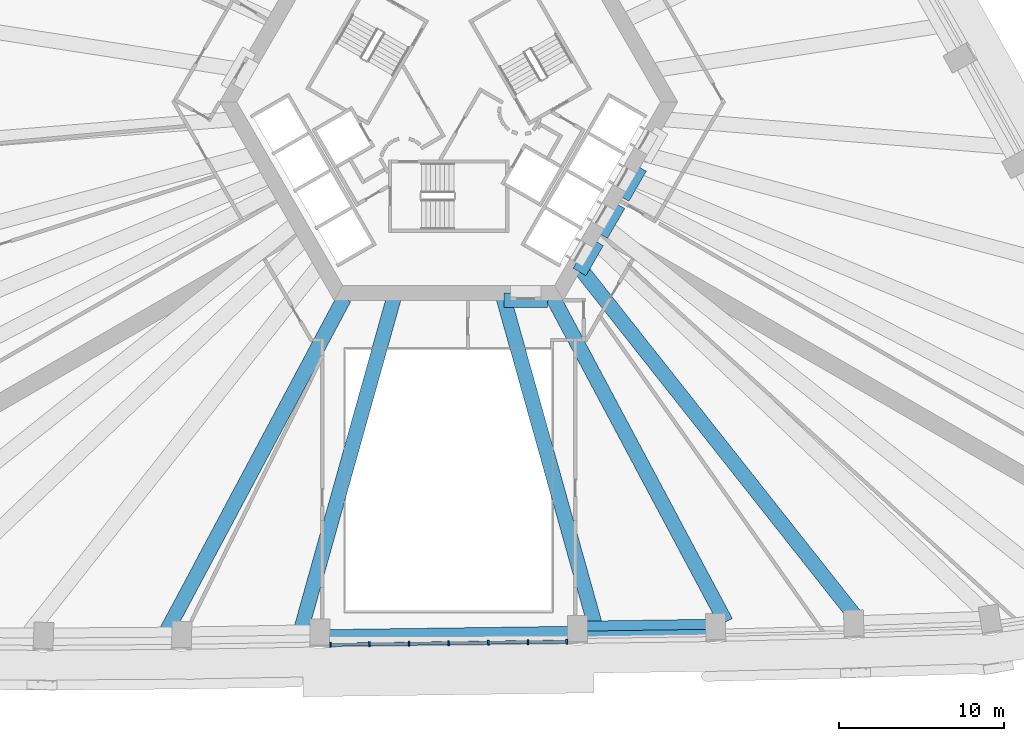
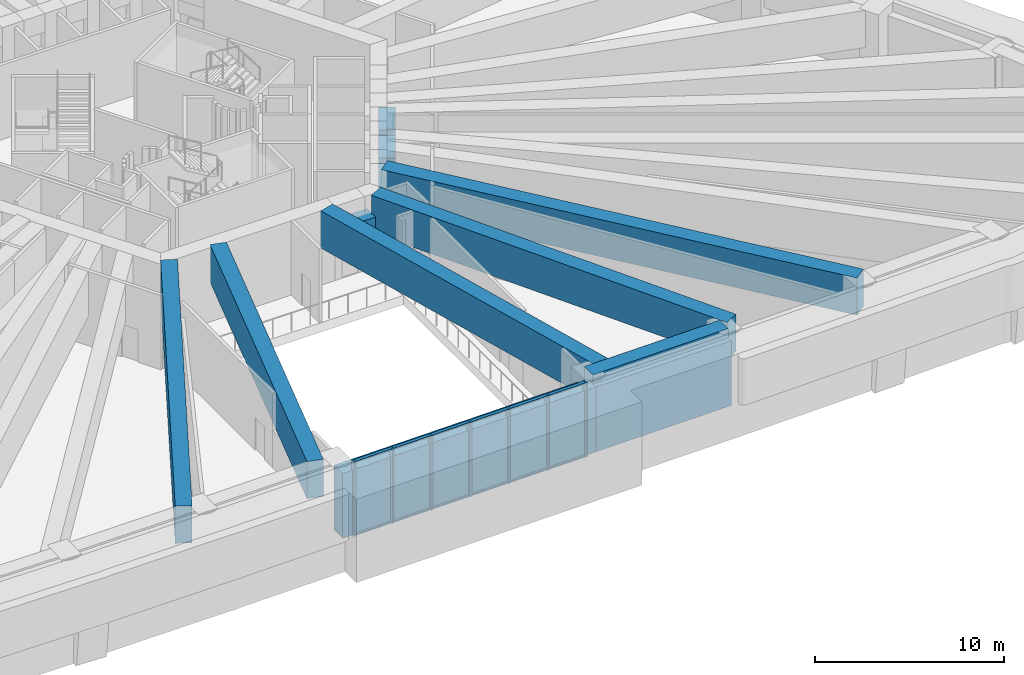
# One storey, part 2 of 21: 21 members, 10 beams, 1 element without a shape of its own.
"""IFC4 building model written with IfcOpenShell, lengths in metres."""

from ifc_helpers import new_model, si_unit, direction, frame, origin, origin_2d, place, context, subcontext, project, spatial, rectangle, extrude, material, material_profile, profile_set, type_object, element, aggregate, save


model = new_model("IFC4")

# Units and contexts
model_context = context("Model", 3, precision=1e-05, world=origin(), true_north=direction((0.0, 1.0)))
body_context = subcontext(model_context, "Body", "Model", "MODEL_VIEW")
ifc_project = project(units=[si_unit("LENGTHUNIT", "METRE"), si_unit("AREAUNIT", "SQUARE_METRE"), si_unit("VOLUMEUNIT", "CUBIC_METRE"), si_unit("PLANEANGLEUNIT", "RADIAN"), si_unit("MASSUNIT", "GRAM", prefix="KILO")], contexts=[model_context])

# Site, building, storey
site_placement = place(None, origin())
site = spatial("IfcSite", under=ifc_project, at=site_placement, CompositionType="ELEMENT")
building_placement = place(site_placement, origin())
building = spatial("IfcBuilding", under=site, at=building_placement, Name="Entoto Arch Interchange Tower", CompositionType="ELEMENT")
storey_placement = place(building_placement, frame((0.0, 0.0, 81.199951171875)))
storey = spatial("IfcBuildingStorey", under=building, at=storey_placement, Name="L17", CompositionType="ELEMENT", Elevation=81.199951171875)

# Members
ifc_material_1 = material(Name="Concrete C60/75", Category="concrete")
ifc_material_profile_1 = material_profile(ifc_material_1, rectangle(XDim=0.60009765625, YDim=4.199951171875, at=origin_2d()))
ifc_profile_set_1 = profile_set([ifc_material_profile_1], Name="Concrete C60/75")
member_type_1 = type_object("IfcMemberType", Name="Belt member RC 600x4200 C60/75", PredefinedType="USERDEFINED", material=ifc_profile_set_1)
member_1_placement = place(storey_placement, frame((7.7939453125, -29.818115234375, 2.10009765625), z_axis=(0.999896966244, 0.014354682017, 0.0), x_axis=(-0.014354682017, 0.999896966244, 0.0)))
element("IfcMember", 1, at=member_1_placement, inside=storey, type_object=member_type_1, Name="Belt beam 05 L17", ObjectType="BELT BEAM", PredefinedType="USERDEFINED", context=body_context, shape_type="SweptSolid", body=[
    extrude(rectangle(XDim=0.60009765625, YDim=4.199951171875, at=origin_2d()), origin(), (0.0, 0.0, 1.0), 8.367919921875),
])
ifc_material_profile_2 = material_profile(ifc_material_1, rectangle(XDim=0.89990234375, YDim=4.199951171875, at=origin_2d()))
ifc_profile_set_2 = profile_set([ifc_material_profile_2], Name="Concrete C60/75")
member_type_2 = type_object("IfcMemberType", Name="Belt member RC 900x4200 C60/75", PredefinedType="USERDEFINED", material=ifc_profile_set_2)
member_2_placement = place(storey_placement, frame((-7.80908203125, -29.8779296875, 2.10009765625), z_axis=(0.999909451968, 0.013456889122, 0.0), x_axis=(-0.013456889122, 0.999909451968, 0.0)))
element("IfcMember", 2, at=member_2_placement, inside=storey, type_object=member_type_2, Name="Belt beam 04 L17", ObjectType="BELT BEAM", PredefinedType="USERDEFINED", context=body_context, shape_type="SweptSolid", body=[
    extrude(rectangle(XDim=0.89990234375, YDim=4.199951171875, at=origin_2d()), origin(), (0.0, 0.0, 1.0), 15.6025390625),
])

# Beams
ifc_material_profile_3 = material_profile(ifc_material_1, rectangle(XDim=0.89990234375, YDim=1.199951171875, at=origin_2d()))
ifc_profile_set_3 = profile_set([ifc_material_profile_3], Name="Concrete C60/75")
beam_type_1 = type_object("IfcBeamType", Name="Coupling beam RC 900x1200 C60/75", PredefinedType="BEAM", material=ifc_profile_set_3)
beam_1_placement = place(storey_placement, frame((3.35009765625, -9.5, 3.0), z_axis=(1.0, 0.0, 0.0), x_axis=(0.0, 1.0, 0.0)))
element("IfcBeam", 3, at=beam_1_placement, inside=storey, type_object=beam_type_1, Name="Coupling beam S L17", PredefinedType="BEAM", context=body_context, shape_type="SweptSolid", body=[
    extrude(rectangle(XDim=0.89990234375, YDim=1.199951171875, at=origin_2d()), origin(), (0.0, 0.0, 1.0), 2.6298828125),
])
for number, where, z_axis, x_axis, name in (
    (4, (7.9169921875, -7.785888671875, 3.0), (0.500178781653, 0.865922159541, 0.0), (-0.865922159541, 0.500178781653, 0.0), "Coupling beam SE L17"),
    (5, (9.217041015625, -5.534912109375, 3.0), (0.500178781653, 0.865922159541, 0.0), (-0.865922159541, 0.500178781653, 0.0), "Coupling beam SE L17"),
):
    element("IfcBeam", number, at=place(storey_placement, frame(where, z_axis=z_axis, x_axis=x_axis)), inside=storey, type_object=beam_type_1, Name=name, PredefinedType="BEAM", context=body_context, shape_type="SweptSolid", body=[
        extrude(rectangle(XDim=0.89990234375, YDim=1.199951171875, at=origin_2d()), origin(), (0.0, 0.0, 1.0), 2.099365234375),
    ])
beam_2_placement = place(storey_placement, frame((10.51708984375, -3.282958984375, 3.0), z_axis=(0.500091574638, 0.865972526687, 0.0), x_axis=(-0.865972526687, 0.500091574638, 0.0)))
element("IfcBeam", 6, at=beam_2_placement, inside=storey, type_object=beam_type_1, Name="Coupling beam SE L17", PredefinedType="BEAM", context=body_context, shape_type="SweptSolid", body=[
    extrude(rectangle(XDim=0.89990234375, YDim=1.199951171875, at=origin_2d()), origin(), (0.0, 0.0, 1.0), 2.09912109375),
])

# Curtain wall, members
ifc_material_2 = material(Name="Aluminium, anodised", Category="aluminium")
curtain_wall_type = type_object("IfcCurtainWallType", Name="CURTAIN WALL ATRIUM", PredefinedType="NOTDEFINED", material=ifc_material_2)
curtain_wall_placement = place(storey_placement, origin())
curtain_wall = element("IfcCurtainWall", 7, at=curtain_wall_placement, inside=storey, type_object=curtain_wall_type, Name="Atrium glazing S-04 L17", PredefinedType="NOTDEFINED")
ifc_material_profile_4 = material_profile(ifc_material_2, rectangle(XDim=0.300048828125, YDim=0.10009765625, at=origin_2d()))
ifc_profile_set_4 = profile_set([ifc_material_profile_4], Name="Aluminium, anodised")
member_type_3 = type_object("IfcMemberType", Name="MULLION ATRIUM 100x300", PredefinedType="MULLION", material=ifc_profile_set_4)
member_3_placement = place(storey_placement, frame((-7.14794921875, -30.33935546875, 0.0), z_axis=(0.0, 0.0, 1.0), x_axis=(-0.013474742091, 0.999909211542, 0.0)))
member_3 = element("IfcMember", 8, at=member_3_placement, type_object=member_type_3, Name="CWA mullion 1", PredefinedType="MULLION", context=body_context, shape_type="SweptSolid", body=[
    extrude(rectangle(XDim=0.300048828125, YDim=0.10009765625, at=origin_2d()), origin(), (0.0, 0.0, 1.0), 4.800048828125),
])
member_4_placement = place(storey_placement, frame((-4.798583984375, -30.3076171875, 0.0), z_axis=(0.0, 0.0, 1.0), x_axis=(-0.013474742091, 0.999909211542, 0.0)))
member_4 = element("IfcMember", 9, at=member_4_placement, type_object=member_type_3, Name="CWA mullion 2", PredefinedType="MULLION", context=body_context, shape_type="SweptSolid", body=[
    extrude(rectangle(XDim=0.300048828125, YDim=0.10009765625, at=origin_2d()), origin(), (0.0, 0.0, 1.0), 4.800048828125),
])
member_5_placement = place(storey_placement, frame((-2.3994140625, -30.275390625, 0.0), z_axis=(0.0, 0.0, 1.0), x_axis=(-0.013474742091, 0.999909211542, 0.0)))
member_5 = element("IfcMember", 10, at=member_5_placement, type_object=member_type_3, Name="CWA mullion 3", PredefinedType="MULLION", context=body_context, shape_type="SweptSolid", body=[
    extrude(rectangle(XDim=0.300048828125, YDim=0.10009765625, at=origin_2d()), origin(), (0.0, 0.0, 1.0), 4.800048828125),
])
member_6_placement = place(storey_placement, frame((0.0, -30.242919921875, 0.0), z_axis=(0.0, 0.0, 1.0), x_axis=(-0.013474742091, 0.999909211542, 0.0)))
member_6 = element("IfcMember", 11, at=member_6_placement, type_object=member_type_3, Name="CWA mullion 4", PredefinedType="MULLION", context=body_context, shape_type="SweptSolid", body=[
    extrude(rectangle(XDim=0.300048828125, YDim=0.10009765625, at=origin_2d()), origin(), (0.0, 0.0, 1.0), 4.800048828125),
])
member_7_placement = place(storey_placement, frame((2.3994140625, -30.210693359375, 0.0), z_axis=(0.0, 0.0, 1.0), x_axis=(-0.013474742091, 0.999909211542, 0.0)))
member_7 = element("IfcMember", 12, at=member_7_placement, type_object=member_type_3, Name="CWA mullion 5", PredefinedType="MULLION", context=body_context, shape_type="SweptSolid", body=[
    extrude(rectangle(XDim=0.300048828125, YDim=0.10009765625, at=origin_2d()), origin(), (0.0, 0.0, 1.0), 4.800048828125),
])
member_8_placement = place(storey_placement, frame((4.798583984375, -30.17822265625, 0.0), z_axis=(0.0, 0.0, 1.0), x_axis=(-0.013474742091, 0.999909211542, 0.0)))
member_8 = element("IfcMember", 13, at=member_8_placement, type_object=member_type_3, Name="CWA mullion 6", PredefinedType="MULLION", context=body_context, shape_type="SweptSolid", body=[
    extrude(rectangle(XDim=0.300048828125, YDim=0.10009765625, at=origin_2d()), origin(), (0.0, 0.0, 1.0), 4.800048828125),
])
member_9_placement = place(storey_placement, frame((7.14794921875, -30.146728515625, 0.0), z_axis=(0.0, 0.0, 1.0), x_axis=(-0.013474742091, 0.999909211542, 0.0)))
member_9 = element("IfcMember", 14, at=member_9_placement, type_object=member_type_3, Name="CWA mullion 7", PredefinedType="MULLION", context=body_context, shape_type="SweptSolid", body=[
    extrude(rectangle(XDim=0.300048828125, YDim=0.10009765625, at=origin_2d()), origin(), (0.0, 0.0, 1.0), 4.800048828125),
])
ifc_material_profile_5 = material_profile(ifc_material_2, rectangle(XDim=0.199951171875, YDim=0.080078125, at=origin_2d()))
ifc_profile_set_5 = profile_set([ifc_material_profile_5], Name="Aluminium, anodised")
member_type_4 = type_object("IfcMemberType", Name="TRANSOM ATRIUM 80x200", PredefinedType="USERDEFINED", material=ifc_profile_set_5)
member_10_placement = place(storey_placement, frame((-7.097900390625, -30.338623046875, 0.0400390625), z_axis=(0.999909436701, 0.013458023462, 0.0), x_axis=(-0.013458023462, 0.999909436701, 0.0)))
member_10 = element("IfcMember", 15, at=member_10_placement, type_object=member_type_4, Name="CWA transom 1.1", ObjectType="TRANSOM", PredefinedType="USERDEFINED", context=body_context, shape_type="SweptSolid", body=[
    extrude(rectangle(XDim=0.199951171875, YDim=0.080078125, at=origin_2d()), origin(), (0.0, 0.0, 1.0), 2.24951171875),
])
member_11_placement = place(storey_placement, frame((-7.097900390625, -30.338623046875, 4.760009765625), z_axis=(0.999909436701, 0.013458023462, 0.0), x_axis=(-0.013458023462, 0.999909436701, 0.0)))
member_11 = element("IfcMember", 16, at=member_11_placement, type_object=member_type_4, Name="CWA transom 1.2", ObjectType="TRANSOM", PredefinedType="USERDEFINED", context=body_context, shape_type="SweptSolid", body=[
    extrude(rectangle(XDim=0.199951171875, YDim=0.080078125, at=origin_2d()), origin(), (0.0, 0.0, 1.0), 2.24951171875),
])
member_12_placement = place(storey_placement, frame((-4.748779296875, -30.306884765625, 0.0400390625), z_axis=(0.999910537049, 0.0133760195, 0.0), x_axis=(-0.0133760195, 0.999910537049, 0.0)))
member_12 = element("IfcMember", 17, at=member_12_placement, type_object=member_type_4, Name="CWA transom 2.1", ObjectType="TRANSOM", PredefinedType="USERDEFINED", context=body_context, shape_type="SweptSolid", body=[
    extrude(rectangle(XDim=0.199951171875, YDim=0.080078125, at=origin_2d()), origin(), (0.0, 0.0, 1.0), 2.2998046875),
])
member_13_placement = place(storey_placement, frame((-4.748779296875, -30.306884765625, 4.760009765625), z_axis=(0.999910537049, 0.0133760195, 0.0), x_axis=(-0.0133760195, 0.999910537049, 0.0)))
member_13 = element("IfcMember", 18, at=member_13_placement, type_object=member_type_4, Name="CWA transom 2.2", ObjectType="TRANSOM", PredefinedType="USERDEFINED", context=body_context, shape_type="SweptSolid", body=[
    extrude(rectangle(XDim=0.199951171875, YDim=0.080078125, at=origin_2d()), origin(), (0.0, 0.0, 1.0), 2.2998046875),
])
member_14_placement = place(storey_placement, frame((-2.349365234375, -30.274658203125, 0.0400390625), z_axis=(0.999909092262, 0.013483590435, 0.0), x_axis=(-0.013483590435, 0.999909092262, 0.0)))
member_14 = element("IfcMember", 19, at=member_14_placement, type_object=member_type_4, Name="CWA transom 3.1", ObjectType="TRANSOM", PredefinedType="USERDEFINED", context=body_context, shape_type="SweptSolid", body=[
    extrude(rectangle(XDim=0.199951171875, YDim=0.080078125, at=origin_2d()), origin(), (0.0, 0.0, 1.0), 2.299560546875),
])
member_15_placement = place(storey_placement, frame((-2.349365234375, -30.274658203125, 4.760009765625), z_axis=(0.999909092262, 0.013483590435, 0.0), x_axis=(-0.013483590435, 0.999909092262, 0.0)))
member_15 = element("IfcMember", 20, at=member_15_placement, type_object=member_type_4, Name="CWA transom 3.2", ObjectType="TRANSOM", PredefinedType="USERDEFINED", context=body_context, shape_type="SweptSolid", body=[
    extrude(rectangle(XDim=0.199951171875, YDim=0.080078125, at=origin_2d()), origin(), (0.0, 0.0, 1.0), 2.299560546875),
])
member_16_placement = place(storey_placement, frame((0.050048828125, -30.242431640625, 0.0400390625), z_axis=(0.999909092262, 0.013483590435, 0.0), x_axis=(-0.013483590435, 0.999909092262, 0.0)))
member_16 = element("IfcMember", 21, at=member_16_placement, type_object=member_type_4, Name="CWA transom 4.1", ObjectType="TRANSOM", PredefinedType="USERDEFINED", context=body_context, shape_type="SweptSolid", body=[
    extrude(rectangle(XDim=0.199951171875, YDim=0.080078125, at=origin_2d()), origin(), (0.0, 0.0, 1.0), 2.299560546875),
])
member_17_placement = place(storey_placement, frame((0.050048828125, -30.242431640625, 4.760009765625), z_axis=(0.999909092262, 0.013483590435, 0.0), x_axis=(-0.013483590435, 0.999909092262, 0.0)))
member_17 = element("IfcMember", 22, at=member_17_placement, type_object=member_type_4, Name="CWA transom 4.2", ObjectType="TRANSOM", PredefinedType="USERDEFINED", context=body_context, shape_type="SweptSolid", body=[
    extrude(rectangle(XDim=0.199951171875, YDim=0.080078125, at=origin_2d()), origin(), (0.0, 0.0, 1.0), 2.299560546875),
])
member_18_placement = place(storey_placement, frame((2.44921875, -30.2099609375, 0.0400390625), z_axis=(0.999909111562, 0.013482159164, 0.0), x_axis=(-0.013482159164, 0.999909111562, 0.0)))
member_18 = element("IfcMember", 23, at=member_18_placement, type_object=member_type_4, Name="CWA transom 5.1", ObjectType="TRANSOM", PredefinedType="USERDEFINED", context=body_context, shape_type="SweptSolid", body=[
    extrude(rectangle(XDim=0.199951171875, YDim=0.080078125, at=origin_2d()), origin(), (0.0, 0.0, 1.0), 2.2998046875),
])
member_19_placement = place(storey_placement, frame((2.44921875, -30.2099609375, 4.760009765625), z_axis=(0.999909111562, 0.013482159164, 0.0), x_axis=(-0.013482159164, 0.999909111562, 0.0)))
member_19 = element("IfcMember", 24, at=member_19_placement, type_object=member_type_4, Name="CWA transom 5.2", ObjectType="TRANSOM", PredefinedType="USERDEFINED", context=body_context, shape_type="SweptSolid", body=[
    extrude(rectangle(XDim=0.199951171875, YDim=0.080078125, at=origin_2d()), origin(), (0.0, 0.0, 1.0), 2.2998046875),
])
member_20_placement = place(storey_placement, frame((4.8486328125, -30.177734375, 0.0400390625), z_axis=(0.999909436701, 0.013458023462, 0.0), x_axis=(-0.013458023462, 0.999909436701, 0.0)))
member_20 = element("IfcMember", 25, at=member_20_placement, type_object=member_type_4, Name="CWA transom 6.1", ObjectType="TRANSOM", PredefinedType="USERDEFINED", context=body_context, shape_type="SweptSolid", body=[
    extrude(rectangle(XDim=0.199951171875, YDim=0.080078125, at=origin_2d()), origin(), (0.0, 0.0, 1.0), 2.24951171875),
])
member_21_placement = place(storey_placement, frame((4.8486328125, -30.177734375, 4.760009765625), z_axis=(0.999909436701, 0.013458023462, 0.0), x_axis=(-0.013458023462, 0.999909436701, 0.0)))
member_21 = element("IfcMember", 26, at=member_21_placement, type_object=member_type_4, Name="CWA transom 6.2", ObjectType="TRANSOM", PredefinedType="USERDEFINED", context=body_context, shape_type="SweptSolid", body=[
    extrude(rectangle(XDim=0.199951171875, YDim=0.080078125, at=origin_2d()), origin(), (0.0, 0.0, 1.0), 2.24951171875),
])
aggregate(curtain_wall, [member_3, member_4, member_5, member_6, member_7, member_8, member_9, member_10, member_11, member_12, member_13, member_14, member_15, member_16, member_17, member_18, member_19, member_20, member_21])

# Beams
ifc_material_profile_6 = material_profile(ifc_material_1, rectangle(XDim=0.89990234375, YDim=2.39990234375, at=origin_2d()))
ifc_profile_set_6 = profile_set([ifc_material_profile_6], Name="Concrete C60/75")
beam_type_2 = type_object("IfcBeamType", Name="Transfer beam RC 900x2400 C60/75", PredefinedType="BEAM", material=ifc_profile_set_6)
beam_3_placement = place(storey_placement, frame((-6.323974609375, -9.367919921875, 3.60009765625), z_axis=(-0.470287681928, -0.882513170568, 0.0), x_axis=(0.882513170568, -0.470287681928, 0.0)))
element("IfcBeam", 27, at=beam_3_placement, inside=storey, type_object=beam_type_2, Name="Transfer beam S03 L17", PredefinedType="BEAM", context=body_context, shape_type="SweptSolid", body=[
    extrude(rectangle(XDim=0.89990234375, YDim=2.39990234375, at=origin_2d()), origin(), (0.0, 0.0, 1.0), 22.76904296875),
])
beam_4_placement = place(storey_placement, frame((-3.31689453125, -9.35595703125, 3.60009765625), z_axis=(-0.269421396015, -0.963022383629, 0.0), x_axis=(0.963022383629, -0.269421396015, 0.0)))
element("IfcBeam", 28, at=beam_4_placement, inside=storey, type_object=beam_type_2, Name="Transfer beam S04 L17", PredefinedType="BEAM", context=body_context, shape_type="SweptSolid", body=[
    extrude(rectangle(XDim=0.89990234375, YDim=2.39990234375, at=origin_2d()), origin(), (0.0, 0.0, 1.0), 20.71484375),
])
beam_5_placement = place(storey_placement, frame((3.31689453125, -9.35595703125, 3.60009765625), z_axis=(0.269430735823, -0.963019770614, 0.0), x_axis=(0.963019770614, 0.269430735823, 0.0)))
element("IfcBeam", 29, at=beam_5_placement, inside=storey, type_object=beam_type_2, Name="Transfer beam S05 L17", PredefinedType="BEAM", context=body_context, shape_type="SweptSolid", body=[
    extrude(rectangle(XDim=0.89990234375, YDim=2.39990234375, at=origin_2d()), origin(), (0.0, 0.0, 1.0), 20.458740234375),
])
beam_6_placement = place(storey_placement, frame((7.79296875, -29.363037109375, 3.60009765625), z_axis=(0.999896719311, 0.014371872214, 0.0), x_axis=(-0.014371872214, 0.999896719311, 0.0)))
element("IfcBeam", 30, at=beam_6_placement, inside=storey, type_object=beam_type_2, Name="Transfer girder S05 L17", PredefinedType="BEAM", context=body_context, shape_type="SweptSolid", body=[
    extrude(rectangle(XDim=0.89990234375, YDim=2.39990234375, at=origin_2d()), origin(), (0.0, 0.0, 1.0), 8.35791015625),
])
beam_7_placement = place(storey_placement, frame((6.323974609375, -9.367919921875, 3.60009765625), z_axis=(0.470301677229, -0.882505712387, 0.0), x_axis=(0.882505712387, 0.470301677229, 0.0)))
element("IfcBeam", 31, at=beam_7_placement, inside=storey, type_object=beam_type_2, Name="Transfer beam S06 L17", PredefinedType="BEAM", context=body_context, shape_type="SweptSolid", body=[
    extrude(rectangle(XDim=0.89990234375, YDim=2.39990234375, at=origin_2d()), origin(), (0.0, 0.0, 1.0), 22.200439453125),
])
beam_8_placement = place(storey_placement, frame((7.916015625, -7.510986328125, 3.60009765625), z_axis=(0.620245243047, -0.784407954114, 0.0), x_axis=(0.784407954114, 0.620245243047, 0.0)))
element("IfcBeam", 32, at=beam_8_placement, inside=storey, type_object=beam_type_2, Name="Transfer beam S07 L17", PredefinedType="BEAM", context=body_context, shape_type="SweptSolid", body=[
    extrude(rectangle(XDim=0.89990234375, YDim=2.39990234375, at=origin_2d()), origin(), (0.0, 0.0, 1.0), 27.126220703125),
])

save(model, "model.ifc")
